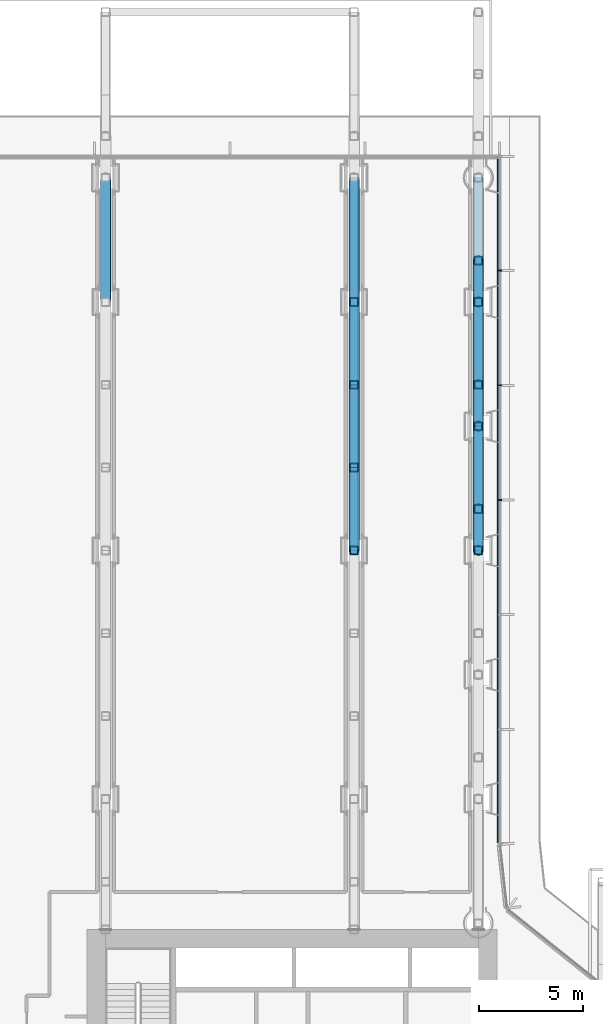
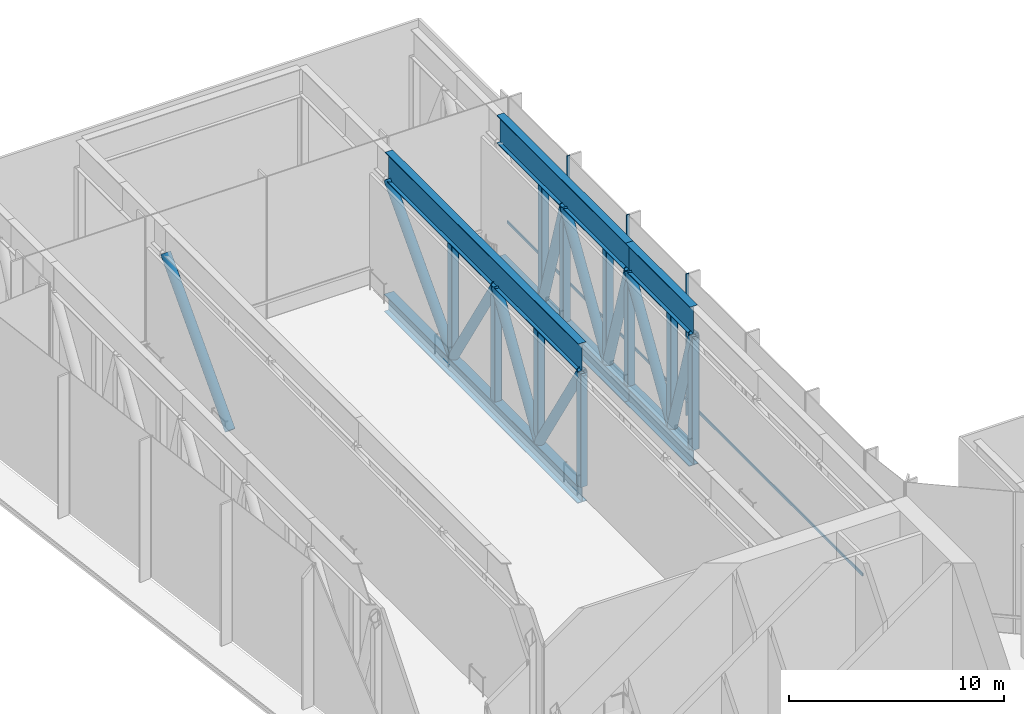
# One storey, part 9 of 25: 30 members, 1 element without a shape of its own.
"""IFC4 building model written with IfcOpenShell, lengths in metres."""

from ifc_helpers import new_model, si_unit, direction, frame, origin, origin_2d, place, context, subcontext, project, spatial, rectangle, hollow_rectangle, hollow_circle, i_section, extrude, material, layer, layer_set, material_profile, profile_set, type_object, element, aggregate, save


model = new_model("IFC4")

# Units and contexts
model_context = context("Model", 3, precision=1e-05, world=origin(), true_north=direction((0.0, 1.0)))
body_context = subcontext(model_context, "Body", "Model", "MODEL_VIEW")
ifc_project = project(units=[si_unit("LENGTHUNIT", "METRE"), si_unit("AREAUNIT", "SQUARE_METRE"), si_unit("VOLUMEUNIT", "CUBIC_METRE"), si_unit("PLANEANGLEUNIT", "RADIAN"), si_unit("MASSUNIT", "GRAM", prefix="KILO")], contexts=[model_context])

# Site, building, storey
site_placement = place(None, origin())
site = spatial("IfcSite", under=ifc_project, at=site_placement, CompositionType="ELEMENT")
building_placement = place(site_placement, origin())
building = spatial("IfcBuilding", under=site, at=building_placement, Name="Welwitschia Terrace Campus", CompositionType="ELEMENT")
storey_placement = place(building_placement, frame((0.0, 0.0, 79.39990234375)))
storey = spatial("IfcBuildingStorey", under=building, at=storey_placement, Name="L18", CompositionType="ELEMENT", Elevation=79.39990234375)

# Curtain wall, members
ifc_material_1 = material(Name="Bronze anodised aluminium", Category="aluminium")
ifc_layer = layer(ifc_material_1, 0.159912109375)
ifc_layer_set = layer_set([ifc_layer], Name="Bronze anodised aluminium")
curtain_wall_type = type_object("IfcCurtainWallType", Name="Curtain wall CW3 commons 6000", PredefinedType="NOTDEFINED", material=ifc_layer_set)
curtain_wall_placement = place(storey_placement, origin())
curtain_wall = element("IfcCurtainWall", 1, at=curtain_wall_placement, inside=storey, type_object=curtain_wall_type, Name="CW L18.15.0", PredefinedType="NOTDEFINED")
ifc_material_2 = material(Name="Bronze anodised aluminium", Category="aluminium")
ifc_material_profile_1 = material_profile(ifc_material_2, rectangle(XDim=0.159912109375, YDim=0.06005859375, at=origin_2d()))
ifc_profile_set_1 = profile_set([ifc_material_profile_1], Name="Bronze anodised aluminium")
member_type_1 = type_object("IfcMemberType", Name="Mullion 60x160", PredefinedType="MULLION", material=ifc_profile_set_1)
member_1_placement = place(storey_placement, frame((25.050048828125, 46.435546875, 0.0), z_axis=(0.0, 0.0, 1.0), x_axis=(-1.0, 0.0, 0.0)))
member_1 = element("IfcMember", 2, at=member_1_placement, type_object=member_type_1, Name="Mullion L18.15.0.3", PredefinedType="MULLION", context=body_context, shape_type="SweptSolid", body=[
    extrude(rectangle(XDim=0.159912109375, YDim=0.06005859375, at=origin_2d()), origin(), (0.0, 0.0, 1.0), 8.050048828125),
])
member_2_placement = place(storey_placement, frame((25.050048828125, 51.9736328125, 0.0), z_axis=(0.0, 0.0, 1.0), x_axis=(-1.0, 0.0, 0.0)))
member_2 = element("IfcMember", 3, at=member_2_placement, type_object=member_type_1, Name="Mullion L18.15.0.4", PredefinedType="MULLION", context=body_context, shape_type="SweptSolid", body=[
    extrude(rectangle(XDim=0.159912109375, YDim=0.06005859375, at=origin_2d()), origin(), (0.0, 0.0, 1.0), 8.050048828125),
])
member_3_placement = place(storey_placement, frame((25.050048828125, 57.51171875, 0.0), z_axis=(0.0, 0.0, 1.0), x_axis=(-1.0, 0.0, 0.0)))
member_3 = element("IfcMember", 4, at=member_3_placement, type_object=member_type_1, Name="Mullion L18.15.0.5", PredefinedType="MULLION", context=body_context, shape_type="SweptSolid", body=[
    extrude(rectangle(XDim=0.159912109375, YDim=0.06005859375, at=origin_2d()), origin(), (0.0, 0.0, 1.0), 8.050048828125),
])

# Members
ifc_material_3 = material(Name="Steel S355", Category="steel")
ifc_material_profile_2 = material_profile(ifc_material_3, i_section(OverallWidth=0.5, OverallDepth=1.0, WebThickness=0.030029296875, FlangeThickness=0.0400390625, at=origin_2d()))
ifc_profile_set_2 = profile_set([ifc_material_profile_2], Name="Steel S355")
member_type_2 = type_object("IfcMemberType", Name="Transfer truss C1 bottom chord WI 1000x500x30x40", PredefinedType="CHORD", material=ifc_profile_set_2)
member_4_placement = place(storey_placement, frame((18.0, 44.0, -0.5), z_axis=(0.0, 1.0, 0.0), x_axis=(-1.0, 0.0, 0.0)))
element("IfcMember", 5, at=member_4_placement, inside=storey, type_object=member_type_2, Name="Truss bottom chord", PredefinedType="CHORD", context=body_context, shape_type="SweptSolid", body=[
    extrude(i_section(OverallWidth=0.5, OverallDepth=1.0, WebThickness=0.030029296875, FlangeThickness=0.0400390625, at=origin_2d()), origin(), (0.0, 0.0, 1.0), 18.0),
])
member_5_placement = place(storey_placement, frame((24.0, 44.0, -0.5), z_axis=(0.0, 1.0, 0.0), x_axis=(-1.0, 0.0, 0.0)))
element("IfcMember", 6, at=member_5_placement, inside=storey, type_object=member_type_2, Name="Truss bottom chord", PredefinedType="CHORD", context=body_context, shape_type="SweptSolid", body=[
    extrude(i_section(OverallWidth=0.5, OverallDepth=1.0, WebThickness=0.030029296875, FlangeThickness=0.0400390625, at=origin_2d()), origin(), (0.0, 0.0, 1.0), 6.0),
])
member_6_placement = place(storey_placement, frame((24.0, 50.0, -0.5), z_axis=(0.0, 1.0, 0.0), x_axis=(-1.0, 0.0, 0.0)))
element("IfcMember", 7, at=member_6_placement, inside=storey, type_object=member_type_2, Name="Truss bottom chord", PredefinedType="CHORD", context=body_context, shape_type="SweptSolid", body=[
    extrude(i_section(OverallWidth=0.5, OverallDepth=1.0, WebThickness=0.030029296875, FlangeThickness=0.0400390625, at=origin_2d()), origin(), (0.0, 0.0, 1.0), 12.0),
])
ifc_material_4 = material(Name="Steel S355", Category="steel")
ifc_material_profile_3 = material_profile(ifc_material_4, hollow_circle(Radius=0.25390625, WallThickness=0.02490234375, at=origin_2d()))
ifc_profile_set_3 = profile_set([ifc_material_profile_3], Name="Steel S355")
member_type_3 = type_object("IfcMemberType", Name="Transfer truss C1 diagonal CHS 508x25", PredefinedType="BRACE", material=ifc_profile_set_3)
member_7_placement = place(storey_placement, frame((6.0, 56.0, 0.0), z_axis=(0.0, 0.681092885831, 0.73219702326), x_axis=(-1.0, 0.0, 0.0)))
element("IfcMember", 8, at=member_7_placement, inside=storey, type_object=member_type_3, Name="Truss diagonal", PredefinedType="BRACE", context=body_context, shape_type="SweptSolid", body=[
    extrude(hollow_circle(Radius=0.25390625, WallThickness=0.02490234375, at=origin_2d()), origin(), (0.0, 0.0, 1.0), 8.809326171875),
])
for number, where, z_axis, x_axis, name in (
    (9, (18.0, 48.0, 0.0), (0.0, -0.527023313392, 0.849850826405), (1.0, 0.0, 0.0), "Truss diagonal"),
    (10, (18.0, 48.0, 0.0), (0.0, 0.527023313392, 0.849850826405), (-1.0, 0.0, 0.0), "Truss diagonal"),
    (11, (18.0, 56.0, 0.0), (0.0, -0.527023313392, 0.849850826405), (1.0, 0.0, 0.0), "Truss diagonal"),
):
    element("IfcMember", number, at=place(storey_placement, frame(where, z_axis=z_axis, x_axis=x_axis)), inside=storey, type_object=member_type_3, Name=name, PredefinedType="BRACE", context=body_context, shape_type="SweptSolid", body=[
        extrude(hollow_circle(Radius=0.25390625, WallThickness=0.02490234375, at=origin_2d()), origin(), (0.0, 0.0, 1.0), 7.58984375),
    ])
member_8_placement = place(storey_placement, frame((18.0, 56.0, 0.0), z_axis=(0.0, 0.681092885831, 0.73219702326), x_axis=(-1.0, 0.0, 0.0)))
element("IfcMember", 12, at=member_8_placement, inside=storey, type_object=member_type_3, Name="Truss diagonal", PredefinedType="BRACE", context=body_context, shape_type="SweptSolid", body=[
    extrude(hollow_circle(Radius=0.25390625, WallThickness=0.02490234375, at=origin_2d()), origin(), (0.0, 0.0, 1.0), 8.809326171875),
])
member_9_placement = place(storey_placement, frame((24.0, 46.0, 0.0), z_axis=(0.0, -0.296158139039, 0.955138920095), x_axis=(1.0, 0.0, 0.0)))
element("IfcMember", 13, at=member_9_placement, inside=storey, type_object=member_type_3, Name="Truss diagonal", PredefinedType="BRACE", context=body_context, shape_type="SweptSolid", body=[
    extrude(hollow_circle(Radius=0.25390625, WallThickness=0.02490234375, at=origin_2d()), origin(), (0.0, 0.0, 1.0), 6.753173828125),
])
member_10_placement = place(storey_placement, frame((24.0, 46.0, 0.0), z_axis=(0.0, 0.527023313392, 0.849850826405), x_axis=(-1.0, 0.0, 0.0)))
element("IfcMember", 14, at=member_10_placement, inside=storey, type_object=member_type_3, Name="Truss diagonal", PredefinedType="BRACE", context=body_context, shape_type="SweptSolid", body=[
    extrude(hollow_circle(Radius=0.25390625, WallThickness=0.02490234375, at=origin_2d()), origin(), (0.0, 0.0, 1.0), 7.58984375),
])
member_11_placement = place(storey_placement, frame((24.0, 52.0, 0.0), z_axis=(0.0, -0.296158139039, 0.955138920095), x_axis=(1.0, 0.0, 0.0)))
element("IfcMember", 15, at=member_11_placement, inside=storey, type_object=member_type_3, Name="Truss diagonal", PredefinedType="BRACE", context=body_context, shape_type="SweptSolid", body=[
    extrude(hollow_circle(Radius=0.25390625, WallThickness=0.02490234375, at=origin_2d()), origin(), (0.0, 0.0, 1.0), 6.753173828125),
])
member_12_placement = place(storey_placement, frame((24.0, 52.0, 0.0), z_axis=(0.0, 0.527023313392, 0.849850826405), x_axis=(-1.0, 0.0, 0.0)))
element("IfcMember", 16, at=member_12_placement, inside=storey, type_object=member_type_3, Name="Truss diagonal", PredefinedType="BRACE", context=body_context, shape_type="SweptSolid", body=[
    extrude(hollow_circle(Radius=0.25390625, WallThickness=0.02490234375, at=origin_2d()), origin(), (0.0, 0.0, 1.0), 7.58984375),
])
member_13_placement = place(storey_placement, frame((24.0, 58.0, 0.0), z_axis=(0.0, -0.296158139039, 0.955138920095), x_axis=(1.0, 0.0, 0.0)))
element("IfcMember", 17, at=member_13_placement, inside=storey, type_object=member_type_3, Name="Truss diagonal", PredefinedType="BRACE", context=body_context, shape_type="SweptSolid", body=[
    extrude(hollow_circle(Radius=0.25390625, WallThickness=0.02490234375, at=origin_2d()), origin(), (0.0, 0.0, 1.0), 6.753173828125),
])
ifc_material_5 = material(Name="Steel S355", Category="steel")
ifc_material_profile_4 = material_profile(ifc_material_5, hollow_rectangle(XDim=0.39990234375, YDim=0.39990234375, WallThickness=0.02490234375, InnerFilletRadius=0.02490234375, OuterFilletRadius=0.03759765625, at=origin_2d()))
ifc_profile_set_4 = profile_set([ifc_material_profile_4], Name="Steel S355")
member_type_4 = type_object("IfcMemberType", Name="Transfer truss C1 post SHS 400x400x25", PredefinedType="POST", material=ifc_profile_set_4)
for number, where, z_axis, x_axis, name in (
    (18, (18.0, 44.0, 0.0), (0.0, 0.0, 1.0), (1.0, 0.0, 0.0), "Truss post"),
    (19, (18.0, 48.0, 0.0), (0.0, 0.0, 1.0), (1.0, 0.0, 0.0), "Truss post"),
    (20, (18.0, 52.0, 0.0), (0.0, 0.0, 1.0), (1.0, 0.0, 0.0), "Truss post"),
    (21, (18.0, 56.0, 0.0), (0.0, 0.0, 1.0), (1.0, 0.0, 0.0), "Truss post"),
    (22, (24.0, 44.0, 0.0), (0.0, 0.0, 1.0), (1.0, 0.0, 0.0), "Truss post"),
    (23, (24.0, 46.0, 0.0), (0.0, 0.0, 1.0), (1.0, 0.0, 0.0), "Truss post"),
    (24, (24.0, 50.0, 0.0), (0.0, 0.0, 1.0), (1.0, 0.0, 0.0), "Truss post"),
    (25, (24.0, 52.0, 0.0), (0.0, 0.0, 1.0), (1.0, 0.0, 0.0), "Truss post"),
    (26, (24.0, 56.0, 0.0), (0.0, 0.0, 1.0), (1.0, 0.0, 0.0), "Truss post"),
    (27, (24.0, 58.0, 0.0), (0.0, 0.0, 1.0), (1.0, 0.0, 0.0), "Truss post"),
):
    element("IfcMember", number, at=place(storey_placement, frame(where, z_axis=z_axis, x_axis=x_axis)), inside=storey, type_object=member_type_4, Name=name, PredefinedType="POST", context=body_context, shape_type="SweptSolid", body=[
        extrude(hollow_rectangle(XDim=0.39990234375, YDim=0.39990234375, WallThickness=0.02490234375, InnerFilletRadius=0.02490234375, OuterFilletRadius=0.03759765625, at=origin_2d()), origin(), (0.0, 0.0, 1.0), 6.4501953125),
    ])
ifc_material_6 = material(Name="Steel S355", Category="steel")
ifc_material_profile_5 = material_profile(ifc_material_6, i_section(OverallWidth=0.39990234375, OverallDepth=1.60009765625, WebThickness=0.030029296875, FlangeThickness=0.0400390625, at=origin_2d()))
ifc_profile_set_5 = profile_set([ifc_material_profile_5], Name="Steel S355")
member_type_5 = type_object("IfcMemberType", Name="Transfer truss C1 top chord WI 1600x400x30x40", PredefinedType="CHORD", material=ifc_profile_set_5)
member_14_placement = place(storey_placement, frame((18.0, 44.0, 7.25), z_axis=(0.0, 1.0, 0.0), x_axis=(-1.0, 0.0, 0.0)))
element("IfcMember", 28, at=member_14_placement, inside=storey, type_object=member_type_5, Name="Truss top chord", PredefinedType="CHORD", context=body_context, shape_type="SweptSolid", body=[
    extrude(i_section(OverallWidth=0.39990234375, OverallDepth=1.60009765625, WebThickness=0.030029296875, FlangeThickness=0.0400390625, at=origin_2d()), origin(), (0.0, 0.0, 1.0), 18.0),
])
member_15_placement = place(storey_placement, frame((24.0, 44.0, 7.25), z_axis=(0.0, 1.0, 0.0), x_axis=(-1.0, 0.0, 0.0)))
element("IfcMember", 29, at=member_15_placement, inside=storey, type_object=member_type_5, Name="Truss top chord", PredefinedType="CHORD", context=body_context, shape_type="SweptSolid", body=[
    extrude(i_section(OverallWidth=0.39990234375, OverallDepth=1.60009765625, WebThickness=0.030029296875, FlangeThickness=0.0400390625, at=origin_2d()), origin(), (0.0, 0.0, 1.0), 6.0),
])
member_16_placement = place(storey_placement, frame((24.0, 50.0, 7.25), z_axis=(0.0, 1.0, 0.0), x_axis=(-1.0, 0.0, 0.0)))
element("IfcMember", 30, at=member_16_placement, inside=storey, type_object=member_type_5, Name="Truss top chord", PredefinedType="CHORD", context=body_context, shape_type="SweptSolid", body=[
    extrude(i_section(OverallWidth=0.39990234375, OverallDepth=1.60009765625, WebThickness=0.030029296875, FlangeThickness=0.0400390625, at=origin_2d()), origin(), (0.0, 0.0, 1.0), 12.0),
])

# Member
ifc_material_7 = material(Name="Bronze anodised aluminium", Category="aluminium")
ifc_material_profile_6 = material_profile(ifc_material_7, rectangle(XDim=0.06005859375, YDim=0.14990234375, at=origin_2d()))
ifc_profile_set_6 = profile_set([ifc_material_profile_6], Name="Bronze anodised aluminium")
member_type_6 = type_object("IfcMemberType", Name="Transom 60x150", PredefinedType="USERDEFINED", material=ifc_profile_set_6)
member_17_placement = place(storey_placement, frame((24.93994140625, 29.880859375, 1.0), z_axis=(0.0, 1.0, 0.0), x_axis=(-1.0, 0.0, 0.0)))
member_17 = element("IfcMember", 31, at=member_17_placement, type_object=member_type_6, Name="Transom L18.15.0", ObjectType="TRANSOM", PredefinedType="USERDEFINED", context=body_context, shape_type="SweptSolid", body=[
    extrude(rectangle(XDim=0.06005859375, YDim=0.14990234375, at=origin_2d()), origin(), (0.0, 0.0, 1.0), 33.109130859375),
])

aggregate(curtain_wall, [member_1, member_2, member_3, member_17])

save(model, "model.ifc")
